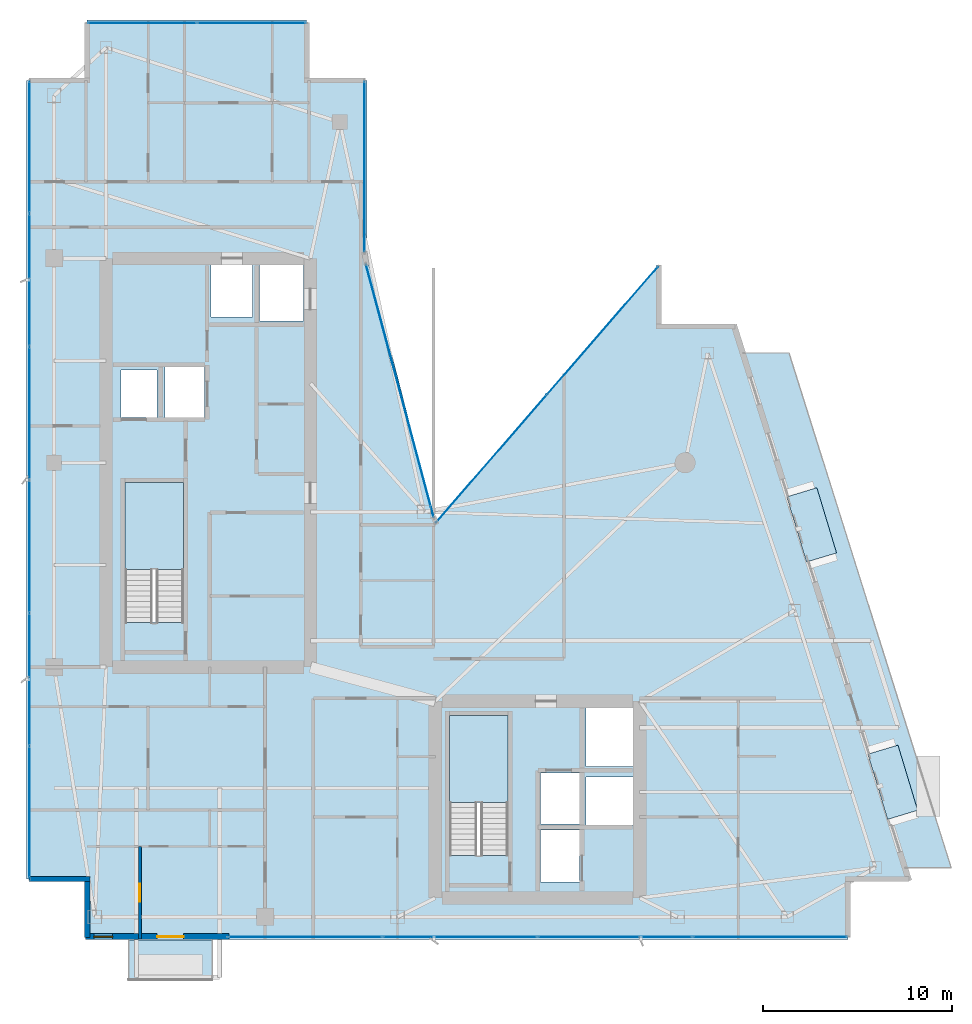
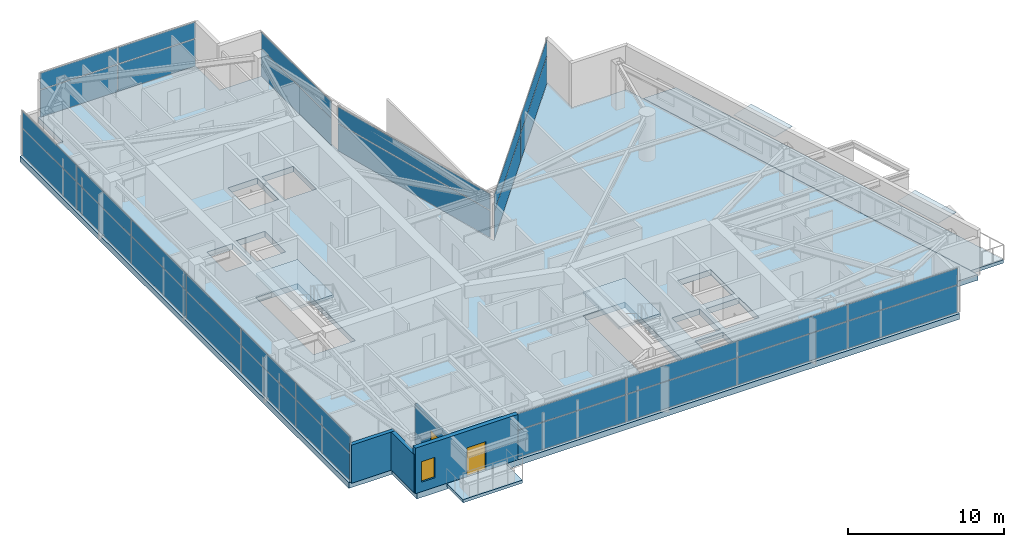
# One storey, part 22 of 28: 34 plates, 5 slabs, 4 walls, 2 doors, 1 window, 3 openings, 8 elements without a shape of their own.
"""IFC4 building model written with IfcOpenShell, lengths in metres."""

from ifc_helpers import new_model, si_unit, direction, frame, frame_2d, origin, origin_2d, place, context, subcontext, project, spatial, polyline, rectangle, outline, extrude, material, layer, layer_set, type_object, element, fill, aggregate, save


model = new_model("IFC4")

# Units and contexts
model_context = context("Model", 3, precision=1e-05, world=origin(), true_north=direction((0.0, 1.0)))
body_context = subcontext(model_context, "Body", "Model", "MODEL_VIEW")
ifc_project = project(units=[si_unit("LENGTHUNIT", "METRE"), si_unit("AREAUNIT", "SQUARE_METRE"), si_unit("VOLUMEUNIT", "CUBIC_METRE"), si_unit("PLANEANGLEUNIT", "RADIAN"), si_unit("MASSUNIT", "GRAM", prefix="KILO")], contexts=[model_context])

# Site, building, storey
site_placement = place(None, origin())
site = spatial("IfcSite", under=ifc_project, at=site_placement, CompositionType="ELEMENT")
building_placement = place(site_placement, origin())
building = spatial("IfcBuilding", under=site, at=building_placement, Name="Calvorn Quay Hotel", CompositionType="ELEMENT")
storey_placement = place(building_placement, frame((0.0, 0.0, 243.800048828125)))
storey = spatial("IfcBuildingStorey", under=building, at=storey_placement, Name="L60", CompositionType="ELEMENT", Elevation=243.800048828125)

# Curtain wall, plates
ifc_material_1 = material(Name="Champagne Bronze Anodised Aluminium and Low-E Glass", Category="aluminium")
ifc_layer_1 = layer(ifc_material_1, 0.219970703125)
ifc_layer_set_1 = layer_set([ifc_layer_1], Name="CW-SYS-Z3")
curtain_wall_type = type_object("IfcCurtainWallType", Name="CW-SYS-Z3", PredefinedType="NOTDEFINED", material=ifc_layer_set_1)
curtain_wall_1_placement = place(storey_placement, origin())
curtain_wall_1 = element("IfcCurtainWall", 1, at=curtain_wall_1_placement, inside=storey, type_object=curtain_wall_type, Name="Tower West Curtain Wall (L60)", PredefinedType="NOTDEFINED")
ifc_material_2 = material(Name="Low-E Laminated Double Glazing", Category="glass")
ifc_layer_2 = layer(ifc_material_2, 0.028076171875)
ifc_layer_set_2 = layer_set([ifc_layer_2], Name="CW-SYS-Z3-PAN")
plate_type_1 = type_object("IfcPlateType", Name="CW-SYS-Z3-PAN", PredefinedType="CURTAIN_PANEL", material=ifc_layer_set_2)
plate_1_placement = place(storey_placement, frame((0.14990234375, 9.131591796875, 0.06005859375), z_axis=(0.0, 0.0, 1.0), x_axis=(0.0, 1.0, 0.0)))
plate_1 = element("IfcPlate", 2, at=plate_1_placement, type_object=plate_type_1, Name="CW-L60-W panel 1.1", PredefinedType="CURTAIN_PANEL", context=body_context, shape_type="SweptSolid", body=[
    extrude(rectangle(XDim=6.943359375, YDim=0.028076171875, at=origin_2d()), origin(), (0.0, 0.0, 1.0), 2.110107421875),
])
plate_2_placement = place(storey_placement, frame((0.14990234375, 9.131591796875, 2.22998046875), z_axis=(0.0, 0.0, 1.0), x_axis=(0.0, 1.0, 0.0)))
plate_2 = element("IfcPlate", 3, at=plate_2_placement, type_object=plate_type_1, Name="CW-L60-W panel 1.2", PredefinedType="CURTAIN_PANEL", context=body_context, shape_type="SweptSolid", body=[
    extrude(rectangle(XDim=6.943359375, YDim=0.028076171875, at=origin_2d()), origin(), (0.0, 0.0, 1.0), 1.27001953125),
])
plate_3_placement = place(storey_placement, frame((0.14990234375, 16.14990234375, 0.06005859375), z_axis=(0.0, 0.0, 1.0), x_axis=(0.0, 1.0, 0.0)))
plate_3 = element("IfcPlate", 4, at=plate_3_placement, type_object=plate_type_1, Name="CW-L60-W panel 2.1", PredefinedType="CURTAIN_PANEL", context=body_context, shape_type="SweptSolid", body=[
    extrude(rectangle(XDim=6.973388671875, YDim=0.028076171875, at=origin_2d()), origin(), (0.0, 0.0, 1.0), 2.110107421875),
])
plate_4_placement = place(storey_placement, frame((0.14990234375, 16.14990234375, 2.22998046875), z_axis=(0.0, 0.0, 1.0), x_axis=(0.0, 1.0, 0.0)))
plate_4 = element("IfcPlate", 5, at=plate_4_placement, type_object=plate_type_1, Name="CW-L60-W panel 2.2", PredefinedType="CURTAIN_PANEL", context=body_context, shape_type="SweptSolid", body=[
    extrude(rectangle(XDim=6.973388671875, YDim=0.028076171875, at=origin_2d()), origin(), (0.0, 0.0, 1.0), 1.27001953125),
])
plate_5_placement = place(storey_placement, frame((0.14990234375, 23.183349609375, 0.06005859375), z_axis=(0.0, 0.0, 1.0), x_axis=(0.0, 1.0, 0.0)))
plate_5 = element("IfcPlate", 6, at=plate_5_placement, type_object=plate_type_1, Name="CW-L60-W panel 3.1", PredefinedType="CURTAIN_PANEL", context=body_context, shape_type="SweptSolid", body=[
    extrude(rectangle(XDim=6.973388671875, YDim=0.028076171875, at=origin_2d()), origin(), (0.0, 0.0, 1.0), 2.110107421875),
])
plate_6_placement = place(storey_placement, frame((0.14990234375, 23.183349609375, 2.22998046875), z_axis=(0.0, 0.0, 1.0), x_axis=(0.0, 1.0, 0.0)))
plate_6 = element("IfcPlate", 7, at=plate_6_placement, type_object=plate_type_1, Name="CW-L60-W panel 3.2", PredefinedType="CURTAIN_PANEL", context=body_context, shape_type="SweptSolid", body=[
    extrude(rectangle(XDim=6.973388671875, YDim=0.028076171875, at=origin_2d()), origin(), (0.0, 0.0, 1.0), 1.27001953125),
])
plate_7_placement = place(storey_placement, frame((0.14990234375, 30.216552734375, 0.06005859375), z_axis=(0.0, 0.0, 1.0), x_axis=(0.0, 1.0, 0.0)))
plate_7 = element("IfcPlate", 8, at=plate_7_placement, type_object=plate_type_1, Name="CW-L60-W panel 4.1", PredefinedType="CURTAIN_PANEL", context=body_context, shape_type="SweptSolid", body=[
    extrude(rectangle(XDim=6.973388671875, YDim=0.028076171875, at=origin_2d()), origin(), (0.0, 0.0, 1.0), 2.110107421875),
])
plate_8_placement = place(storey_placement, frame((0.14990234375, 30.216552734375, 2.22998046875), z_axis=(0.0, 0.0, 1.0), x_axis=(0.0, 1.0, 0.0)))
plate_8 = element("IfcPlate", 9, at=plate_8_placement, type_object=plate_type_1, Name="CW-L60-W panel 4.2", PredefinedType="CURTAIN_PANEL", context=body_context, shape_type="SweptSolid", body=[
    extrude(rectangle(XDim=6.973388671875, YDim=0.028076171875, at=origin_2d()), origin(), (0.0, 0.0, 1.0), 1.27001953125),
])
plate_9_placement = place(storey_placement, frame((0.14990234375, 37.25, 0.06005859375), z_axis=(0.0, 0.0, 1.0), x_axis=(0.0, 1.0, 0.0)))
plate_9 = element("IfcPlate", 10, at=plate_9_placement, type_object=plate_type_1, Name="CW-L60-W panel 5.1", PredefinedType="CURTAIN_PANEL", context=body_context, shape_type="SweptSolid", body=[
    extrude(rectangle(XDim=6.973388671875, YDim=0.028076171875, at=origin_2d()), origin(), (0.0, 0.0, 1.0), 2.110107421875),
])
plate_10_placement = place(storey_placement, frame((0.14990234375, 37.25, 2.22998046875), z_axis=(0.0, 0.0, 1.0), x_axis=(0.0, 1.0, 0.0)))
plate_10 = element("IfcPlate", 11, at=plate_10_placement, type_object=plate_type_1, Name="CW-L60-W panel 5.2", PredefinedType="CURTAIN_PANEL", context=body_context, shape_type="SweptSolid", body=[
    extrude(rectangle(XDim=6.973388671875, YDim=0.028076171875, at=origin_2d()), origin(), (0.0, 0.0, 1.0), 1.27001953125),
])
plate_11_placement = place(storey_placement, frame((0.14990234375, 44.268310546875, 0.06005859375), z_axis=(0.0, 0.0, 1.0), x_axis=(0.0, 1.0, 0.0)))
plate_11 = element("IfcPlate", 12, at=plate_11_placement, type_object=plate_type_1, Name="CW-L60-W panel 6.1", PredefinedType="CURTAIN_PANEL", context=body_context, shape_type="SweptSolid", body=[
    extrude(rectangle(XDim=6.943359375, YDim=0.028076171875, at=origin_2d()), origin(), (0.0, 0.0, 1.0), 2.110107421875),
])
plate_12_placement = place(storey_placement, frame((0.14990234375, 44.268310546875, 2.22998046875), z_axis=(0.0, 0.0, 1.0), x_axis=(0.0, 1.0, 0.0)))
plate_12 = element("IfcPlate", 13, at=plate_12_placement, type_object=plate_type_1, Name="CW-L60-W panel 6.2", PredefinedType="CURTAIN_PANEL", context=body_context, shape_type="SweptSolid", body=[
    extrude(rectangle(XDim=6.943359375, YDim=0.028076171875, at=origin_2d()), origin(), (0.0, 0.0, 1.0), 1.27001953125),
])
aggregate(curtain_wall_1, [plate_1, plate_2, plate_3, plate_4, plate_5, plate_6, plate_7, plate_8, plate_9, plate_10, plate_11, plate_12])

curtain_wall_2_placement = place(storey_placement, origin())
curtain_wall_2 = element("IfcCurtainWall", 14, at=curtain_wall_2_placement, inside=storey, type_object=curtain_wall_type, Name="Tower South Waterfront Curtain Wall (L60)", PredefinedType="NOTDEFINED")
plate_13_placement = place(storey_placement, frame((14.715087890625, 2.550048828125, 0.06005859375), z_axis=(0.0, 0.0, 1.0), x_axis=(1.0, 0.0, 0.0)))
plate_13 = element("IfcPlate", 15, at=plate_13_placement, type_object=plate_type_1, Name="CW-L60-S panel 1.1", PredefinedType="CURTAIN_PANEL", context=body_context, shape_type="SweptSolid", body=[
    extrude(rectangle(XDim=8.110107421875, YDim=0.028076171875, at=origin_2d()), origin(), (0.0, 0.0, 1.0), 2.110107421875),
])
plate_14_placement = place(storey_placement, frame((14.715087890625, 2.550048828125, 2.22998046875), z_axis=(0.0, 0.0, 1.0), x_axis=(1.0, 0.0, 0.0)))
plate_14 = element("IfcPlate", 16, at=plate_14_placement, type_object=plate_type_1, Name="CW-L60-S panel 1.2", PredefinedType="CURTAIN_PANEL", context=body_context, shape_type="SweptSolid", body=[
    extrude(rectangle(XDim=8.110107421875, YDim=0.028076171875, at=origin_2d()), origin(), (0.0, 0.0, 1.0), 1.27001953125),
])
plate_15_placement = place(storey_placement, frame((22.89990234375, 2.550048828125, 0.06005859375), z_axis=(0.0, 0.0, 1.0), x_axis=(1.0, 0.0, 0.0)))
plate_15 = element("IfcPlate", 17, at=plate_15_placement, type_object=plate_type_1, Name="CW-L60-S panel 2.1", PredefinedType="CURTAIN_PANEL", context=body_context, shape_type="SweptSolid", body=[
    extrude(rectangle(XDim=8.139892578125, YDim=0.028076171875, at=origin_2d()), origin(), (0.0, 0.0, 1.0), 2.110107421875),
])
plate_16_placement = place(storey_placement, frame((22.89990234375, 2.550048828125, 2.22998046875), z_axis=(0.0, 0.0, 1.0), x_axis=(1.0, 0.0, 0.0)))
plate_16 = element("IfcPlate", 18, at=plate_16_placement, type_object=plate_type_1, Name="CW-L60-S panel 2.2", PredefinedType="CURTAIN_PANEL", context=body_context, shape_type="SweptSolid", body=[
    extrude(rectangle(XDim=8.139892578125, YDim=0.028076171875, at=origin_2d()), origin(), (0.0, 0.0, 1.0), 1.27001953125),
])
plate_17_placement = place(storey_placement, frame((31.10009765625, 2.550048828125, 0.06005859375), z_axis=(0.0, 0.0, 1.0), x_axis=(1.0, 0.0, 0.0)))
plate_17 = element("IfcPlate", 19, at=plate_17_placement, type_object=plate_type_1, Name="CW-L60-S panel 3.1", PredefinedType="CURTAIN_PANEL", context=body_context, shape_type="SweptSolid", body=[
    extrude(rectangle(XDim=8.139892578125, YDim=0.028076171875, at=origin_2d()), origin(), (0.0, 0.0, 1.0), 2.110107421875),
])
plate_18_placement = place(storey_placement, frame((31.10009765625, 2.550048828125, 2.22998046875), z_axis=(0.0, 0.0, 1.0), x_axis=(1.0, 0.0, 0.0)))
plate_18 = element("IfcPlate", 20, at=plate_18_placement, type_object=plate_type_1, Name="CW-L60-S panel 3.2", PredefinedType="CURTAIN_PANEL", context=body_context, shape_type="SweptSolid", body=[
    extrude(rectangle(XDim=8.139892578125, YDim=0.028076171875, at=origin_2d()), origin(), (0.0, 0.0, 1.0), 1.27001953125),
])
plate_19_placement = place(storey_placement, frame((39.284912109375, 2.550048828125, 0.06005859375), z_axis=(0.0, 0.0, 1.0), x_axis=(1.0, 0.0, 0.0)))
plate_19 = element("IfcPlate", 21, at=plate_19_placement, type_object=plate_type_1, Name="CW-L60-S panel 4.1", PredefinedType="CURTAIN_PANEL", context=body_context, shape_type="SweptSolid", body=[
    extrude(rectangle(XDim=8.110107421875, YDim=0.028076171875, at=origin_2d()), origin(), (0.0, 0.0, 1.0), 2.110107421875),
])
plate_20_placement = place(storey_placement, frame((39.284912109375, 2.550048828125, 2.22998046875), z_axis=(0.0, 0.0, 1.0), x_axis=(1.0, 0.0, 0.0)))
plate_20 = element("IfcPlate", 22, at=plate_20_placement, type_object=plate_type_1, Name="CW-L60-S panel 4.2", PredefinedType="CURTAIN_PANEL", context=body_context, shape_type="SweptSolid", body=[
    extrude(rectangle(XDim=8.110107421875, YDim=0.028076171875, at=origin_2d()), origin(), (0.0, 0.0, 1.0), 1.27001953125),
])
aggregate(curtain_wall_2, [plate_13, plate_14, plate_15, plate_16, plate_17, plate_18, plate_19, plate_20])

curtain_wall_3_placement = place(storey_placement, origin())
curtain_wall_3 = element("IfcCurtainWall", 23, at=curtain_wall_3_placement, inside=storey, type_object=curtain_wall_type, Name="Inner Court Curtain Wall L60-NE1", PredefinedType="NOTDEFINED")
plate_21_placement = place(storey_placement, frame((30.440185546875, 34.588623046875, 0.06005859375), z_axis=(0.0, 0.0, 1.0), x_axis=(-0.655353317216, -0.755322467304, 0.0)))
plate_21 = element("IfcPlate", 24, at=plate_21_placement, type_object=plate_type_1, Name="CW-L60-NE1 panel 1.1", PredefinedType="CURTAIN_PANEL", context=body_context, shape_type="SweptSolid", body=[
    extrude(rectangle(XDim=8.912841796875, YDim=0.028076171875, at=origin_2d()), origin(), (0.0, 0.0, 1.0), 2.110107421875),
])
plate_22_placement = place(storey_placement, frame((30.440185546875, 34.588623046875, 2.22998046875), z_axis=(0.0, 0.0, 1.0), x_axis=(-0.655353317216, -0.755322467304, 0.0)))
plate_22 = element("IfcPlate", 25, at=plate_22_placement, type_object=plate_type_1, Name="CW-L60-NE1 panel 1.2", PredefinedType="CURTAIN_PANEL", context=body_context, shape_type="SweptSolid", body=[
    extrude(rectangle(XDim=8.912841796875, YDim=0.028076171875, at=origin_2d()), origin(), (0.0, 0.0, 1.0), 1.27001953125),
])
plate_23_placement = place(storey_placement, frame((24.559814453125, 27.811279296875, 0.06005859375), z_axis=(0.0, 0.0, 1.0), x_axis=(-0.655353317216, -0.755322467304, 0.0)))
plate_23 = element("IfcPlate", 26, at=plate_23_placement, type_object=plate_type_1, Name="CW-L60-NE1 panel 2.1", PredefinedType="CURTAIN_PANEL", context=body_context, shape_type="SweptSolid", body=[
    extrude(rectangle(XDim=8.912841796875, YDim=0.028076171875, at=origin_2d()), origin(), (0.0, 0.0, 1.0), 2.110107421875),
])
plate_24_placement = place(storey_placement, frame((24.559814453125, 27.811279296875, 2.22998046875), z_axis=(0.0, 0.0, 1.0), x_axis=(-0.655353317216, -0.755322467304, 0.0)))
plate_24 = element("IfcPlate", 27, at=plate_24_placement, type_object=plate_type_1, Name="CW-L60-NE1 panel 2.2", PredefinedType="CURTAIN_PANEL", context=body_context, shape_type="SweptSolid", body=[
    extrude(rectangle(XDim=8.912841796875, YDim=0.028076171875, at=origin_2d()), origin(), (0.0, 0.0, 1.0), 1.27001953125),
])
aggregate(curtain_wall_3, [plate_21, plate_22, plate_23, plate_24])

curtain_wall_4_placement = place(storey_placement, origin())
curtain_wall_4 = element("IfcCurtainWall", 28, at=curtain_wall_4_placement, inside=storey, type_object=curtain_wall_type, Name="Inner Court Curtain Wall L60-IC1", PredefinedType="NOTDEFINED")
plate_25_placement = place(storey_placement, frame((19.72509765625, 31.39990234375, 0.06005859375), z_axis=(0.0, 0.0, 1.0), x_axis=(-0.25877913024, 0.96593652056, 0.0)))
plate_25 = element("IfcPlate", 29, at=plate_25_placement, type_object=plate_type_1, Name="CW-L60-IC1 panel 1.1", PredefinedType="CURTAIN_PANEL", context=body_context, shape_type="SweptSolid", body=[
    extrude(rectangle(XDim=13.814697265625, YDim=0.028076171875, at=origin_2d()), origin(), (0.0, 0.0, 1.0), 2.110107421875),
])
plate_26_placement = place(storey_placement, frame((19.72509765625, 31.39990234375, 2.22998046875), z_axis=(0.0, 0.0, 1.0), x_axis=(-0.25877913024, 0.96593652056, 0.0)))
plate_26 = element("IfcPlate", 30, at=plate_26_placement, type_object=plate_type_1, Name="CW-L60-IC1 panel 1.2", PredefinedType="CURTAIN_PANEL", context=body_context, shape_type="SweptSolid", body=[
    extrude(rectangle(XDim=13.814697265625, YDim=0.028076171875, at=origin_2d()), origin(), (0.0, 0.0, 1.0), 1.27001953125),
])
aggregate(curtain_wall_4, [plate_25, plate_26])

curtain_wall_5_placement = place(storey_placement, origin())
curtain_wall_5 = element("IfcCurtainWall", 31, at=curtain_wall_5_placement, inside=storey, type_object=curtain_wall_type, Name="Inner Court Curtain Wall L60-IC2", PredefinedType="NOTDEFINED")
plate_27_placement = place(storey_placement, frame((17.85009765625, 43.239990234375, 0.06005859375), z_axis=(0.0, 0.0, 1.0), x_axis=(0.0, 1.0, 0.0)))
plate_27 = element("IfcPlate", 32, at=plate_27_placement, type_object=plate_type_1, Name="CW-L60-IC2 panel 1.1", PredefinedType="CURTAIN_PANEL", context=body_context, shape_type="SweptSolid", body=[
    extrude(rectangle(XDim=9.0, YDim=0.028076171875, at=origin_2d()), origin(), (0.0, 0.0, 1.0), 2.110107421875),
])
plate_28_placement = place(storey_placement, frame((17.85009765625, 43.239990234375, 2.22998046875), z_axis=(0.0, 0.0, 1.0), x_axis=(0.0, 1.0, 0.0)))
plate_28 = element("IfcPlate", 33, at=plate_28_placement, type_object=plate_type_1, Name="CW-L60-IC2 panel 1.2", PredefinedType="CURTAIN_PANEL", context=body_context, shape_type="SweptSolid", body=[
    extrude(rectangle(XDim=9.0, YDim=0.028076171875, at=origin_2d()), origin(), (0.0, 0.0, 1.0), 1.27001953125),
])
aggregate(curtain_wall_5, [plate_27, plate_28])

curtain_wall_6_placement = place(storey_placement, origin())
curtain_wall_6 = element("IfcCurtainWall", 34, at=curtain_wall_6_placement, inside=storey, type_object=curtain_wall_type, Name="Inner Court Curtain Wall L60-N1", PredefinedType="NOTDEFINED")
plate_29_placement = place(storey_placement, frame((11.885009765625, 50.85009765625, 0.06005859375), z_axis=(0.0, 0.0, 1.0), x_axis=(-1.0, 0.0, 0.0)))
plate_29 = element("IfcPlate", 35, at=plate_29_placement, type_object=plate_type_1, Name="CW-L60-N1 panel 1.1", PredefinedType="CURTAIN_PANEL", context=body_context, shape_type="SweptSolid", body=[
    extrude(rectangle(XDim=5.7099609375, YDim=0.028076171875, at=origin_2d()), origin(), (0.0, 0.0, 1.0), 2.110107421875),
])
plate_30_placement = place(storey_placement, frame((11.885009765625, 50.85009765625, 2.22998046875), z_axis=(0.0, 0.0, 1.0), x_axis=(-1.0, 0.0, 0.0)))
plate_30 = element("IfcPlate", 36, at=plate_30_placement, type_object=plate_type_1, Name="CW-L60-N1 panel 1.2", PredefinedType="CURTAIN_PANEL", context=body_context, shape_type="SweptSolid", body=[
    extrude(rectangle(XDim=5.7099609375, YDim=0.028076171875, at=origin_2d()), origin(), (0.0, 0.0, 1.0), 1.27001953125),
])
plate_31_placement = place(storey_placement, frame((6.114990234375, 50.85009765625, 0.06005859375), z_axis=(0.0, 0.0, 1.0), x_axis=(-1.0, 0.0, 0.0)))
plate_31 = element("IfcPlate", 37, at=plate_31_placement, type_object=plate_type_1, Name="CW-L60-N1 panel 2.1", PredefinedType="CURTAIN_PANEL", context=body_context, shape_type="SweptSolid", body=[
    extrude(rectangle(XDim=5.7099609375, YDim=0.028076171875, at=origin_2d()), origin(), (0.0, 0.0, 1.0), 2.110107421875),
])
plate_32_placement = place(storey_placement, frame((6.114990234375, 50.85009765625, 2.22998046875), z_axis=(0.0, 0.0, 1.0), x_axis=(-1.0, 0.0, 0.0)))
plate_32 = element("IfcPlate", 38, at=plate_32_placement, type_object=plate_type_1, Name="CW-L60-N1 panel 2.2", PredefinedType="CURTAIN_PANEL", context=body_context, shape_type="SweptSolid", body=[
    extrude(rectangle(XDim=5.7099609375, YDim=0.028076171875, at=origin_2d()), origin(), (0.0, 0.0, 1.0), 1.27001953125),
])
aggregate(curtain_wall_6, [plate_29, plate_30, plate_31, plate_32])

# Plates
ifc_material_3 = material(Name="Tempered Laminated Low-E Glass", Category="glass")
ifc_layer_3 = layer(ifc_material_3, 0.0380859375)
ifc_layer_set_3 = layer_set([ifc_layer_3], Name="PLT-HOOD-GLAZ")
plate_type_2 = type_object("IfcPlateType", Name="PLT-HOOD-GLAZ", PredefinedType="SHEET", material=ifc_layer_set_3)
for number, where, z_axis, x_axis, name in (
    (39, (45.77490234375, 10.718017578125, 2.466796875), (0.0, 0.0, 1.0), (0.957319497532, 0.289031796944, 0.0), "Angled Glass Bay Hood Panel L60-HOOD-1"),
    (40, (41.489013671875, 24.318115234375, 2.466796875), (0.0, 0.0, 1.0), (0.957319497532, 0.289031796944, 0.0), "Angled Glass Bay Hood Panel L60-HOOD-3"),
):
    element("IfcPlate", number, at=place(storey_placement, frame(where, z_axis=z_axis, x_axis=x_axis)), inside=storey, type_object=plate_type_2, Name=name, PredefinedType="SHEET", context=body_context, shape_type="SweptSolid", body=[
        extrude(rectangle(XDim=1.659912109375, YDim=3.60009765625, at=origin_2d()), origin(), (0.0, 0.0, 1.0), 0.0380859375),
    ])

# Slab
ifc_material_4 = material(Name="Concrete C40", Category="concrete")
ifc_layer_4 = layer(ifc_material_4, 0.239990234375)
ifc_layer_set_4 = layer_set([ifc_layer_4], Name="SLB-BALCONY-220")
slab_type_1 = type_object("IfcSlabType", Name="SLB-BALCONY-220", PredefinedType="FLOOR", material=ifc_layer_set_4)
slab_1_placement = place(storey_placement, frame((0.0, 0.0, -0.239990234375)))
element("IfcSlab", 41, at=slab_1_placement, inside=storey, type_object=slab_type_1, Name="Tree Balcony Slab L60-BALC-S", PredefinedType="FLOOR", context=body_context, shape_type="SweptSolid", body=[
    extrude(outline(polyline([(5.39990234375, 0.2900390625), (9.800048828125, 0.2900390625), (9.800048828125, 2.389892578125), (5.39990234375, 2.389892578125), (5.39990234375, 0.2900390625)])), origin(), (0.0, 0.0, 1.0), 0.239990234375),
])

# Stair, slab
ifc_material_5 = material(Name="Concrete C40", Category="concrete")
stair_type = type_object("IfcStairType", Name="STR-CORE-DOGLEG", PredefinedType="HALF_TURN_STAIR", material=ifc_material_5)
stair_1_placement = place(storey_placement, origin())
stair_1 = element("IfcStair", 42, at=stair_1_placement, inside=storey, type_object=stair_type, Name="L60 ST-W", PredefinedType="HALF_TURN_STAIR")
ifc_material_6 = material(Name="Concrete C40", Category="concrete")
ifc_layer_5 = layer(ifc_material_6, 0.199951171875)
ifc_layer_set_5 = layer_set([ifc_layer_5], Name="SLB-STAIR-LANDING-200")
slab_type_2 = type_object("IfcSlabType", Name="SLB-STAIR-LANDING-200", PredefinedType="LANDING", material=ifc_layer_set_5)
slab_2_placement = place(storey_placement, frame((0.0, 0.0, 1.699951171875)))
slab_2 = element("IfcSlab", 43, at=slab_2_placement, type_object=slab_type_2, Name="ST-W landing 1", PredefinedType="LANDING", context=body_context, shape_type="SweptSolid", body=[
    extrude(outline(polyline([(8.300048828125, 21.949951171875), (8.300048828125, 26.550048828125), (5.199951171875, 26.550048828125), (5.199951171875, 21.949951171875), (8.300048828125, 21.949951171875)])), origin(), (0.0, 0.0, 1.0), 0.199951171875),
])
aggregate(stair_1, [slab_2])

stair_2_placement = place(storey_placement, origin())
stair_2 = element("IfcStair", 44, at=stair_2_placement, inside=storey, type_object=stair_type, Name="L60 ST-E", PredefinedType="HALF_TURN_STAIR")
slab_3_placement = place(storey_placement, frame((0.0, 0.0, 1.699951171875)))
slab_3 = element("IfcSlab", 45, at=slab_3_placement, type_object=slab_type_2, Name="ST-E landing 1", PredefinedType="LANDING", context=body_context, shape_type="SweptSolid", body=[
    extrude(outline(polyline([(25.449951171875, 9.64990234375), (25.449951171875, 14.25), (22.35009765625, 14.25), (22.35009765625, 9.64990234375), (25.449951171875, 9.64990234375)])), origin(), (0.0, 0.0, 1.0), 0.199951171875),
])
aggregate(stair_2, [slab_3])

# Slabs
ifc_material_7 = material(Name="Concrete C40", Category="concrete")
ifc_layer_6 = layer(ifc_material_7, 0.260009765625)
ifc_layer_set_6 = layer_set([ifc_layer_6], Name="SLB-TERRACE-260")
slab_type_3 = type_object("IfcSlabType", Name="SLB-TERRACE-260", PredefinedType="ROOF", material=ifc_layer_set_6)
slab_4_placement = place(storey_placement, frame((0.0, 0.0, -0.260009765625)))
element("IfcSlab", 46, at=slab_4_placement, inside=storey, type_object=slab_type_3, Name="Sawtooth Setback Terrace Slab L60", PredefinedType="ROOF", context=body_context, shape_type="SweptSolid", body=[
    extrude(outline(polyline([(46.430908203125, 6.199951171875), (48.861083984375, 6.199951171875), (40.291015625, 33.39990234375), (37.861083984375, 33.39990234375), (46.430908203125, 6.199951171875)])), origin(), (0.0, 0.0, 1.0), 0.260009765625),
])
ifc_material_8 = material(Name="Concrete C50", Category="concrete")
ifc_layer_7 = layer(ifc_material_8, 0.449951171875)
ifc_layer_set_7 = layer_set([ifc_layer_7], Name="SLB-XFER-450")
slab_type_4 = type_object("IfcSlabType", Name="SLB-XFER-450", PredefinedType="FLOOR", material=ifc_layer_set_7)
slab_5_placement = place(storey_placement, frame((0.0, 0.0, -0.449951171875)))
element("IfcSlab", 47, at=slab_5_placement, inside=storey, type_object=slab_type_4, Name="L60 Structural Floor Slab", PredefinedType="FLOOR", context=body_context, shape_type="SweptSolid", body=[
    extrude(outline(polyline([(0.0, 5.60009765625), (3.199951171875, 5.60009765625), (3.199951171875, 2.39990234375), (43.39990234375, 2.39990234375), (43.39990234375, 5.60009765625), (46.60009765625, 5.60009765625), (37.39990234375, 34.800048828125), (33.39990234375, 34.800048828125), (33.39990234375, 38.0), (21.60009765625, 24.39990234375), (18.0, 38.39990234375), (18.0, 47.800048828125), (14.800048828125, 47.800048828125), (14.800048828125, 51.0), (3.199951171875, 51.0), (3.199951171875, 47.800048828125), (0.0, 47.800048828125), (0.0, 5.60009765625)]), holes=[polyline([(5.199951171875, 19.156005859375), (8.300048828125, 19.156005859375), (8.300048828125, 26.550048828125), (5.199951171875, 26.550048828125), (5.199951171875, 19.156005859375)]), polyline([(22.35009765625, 6.85595703125), (25.449951171875, 6.85595703125), (25.449951171875, 14.25), (22.35009765625, 14.25), (22.35009765625, 6.85595703125)]), polyline([(5.0, 30.0), (6.89990234375, 30.0), (6.89990234375, 32.5), (5.0, 32.5), (5.0, 30.0)]), polyline([(7.300048828125, 30.0), (9.39990234375, 30.0), (9.39990234375, 32.64990234375), (7.300048828125, 32.64990234375), (7.300048828125, 30.0)]), polyline([(27.159912109375, 8.5), (29.2099609375, 8.5), (29.2099609375, 11.199951171875), (27.159912109375, 11.199951171875), (27.159912109375, 8.5)]), polyline([(27.159912109375, 5.449951171875), (29.2099609375, 5.449951171875), (29.2099609375, 8.199951171875), (27.159912109375, 8.199951171875), (27.159912109375, 5.449951171875)]), polyline([(12.300048828125, 35.10009765625), (14.639892578125, 35.10009765625), (14.639892578125, 38.0400390625), (12.300048828125, 38.0400390625), (12.300048828125, 35.10009765625)]), polyline([(9.75, 35.300048828125), (11.949951171875, 35.300048828125), (11.949951171875, 38.0400390625), (9.75, 38.0400390625), (9.75, 35.300048828125)]), polyline([(29.550048828125, 11.550048828125), (32.0400390625, 11.550048828125), (32.0400390625, 14.639892578125), (29.550048828125, 14.639892578125), (29.550048828125, 11.550048828125)]), polyline([(29.550048828125, 8.449951171875), (32.0400390625, 8.449951171875), (32.0400390625, 11.0), (29.550048828125, 11.0), (29.550048828125, 8.449951171875)])]), origin(), (0.0, 0.0, 1.0), 0.449951171875),
])

# Wall, openings, door, window
ifc_material_9 = material(Name="Concrete C40", Category="concrete")
ifc_layer_8 = layer(ifc_material_9, 0.320068359375)
ifc_layer_set_8 = layer_set([ifc_layer_8], Name="WL-EXT-SPANDREL-320")
wall_type_1 = type_object("IfcWallType", Name="WL-EXT-SPANDREL-320", PredefinedType="SOLIDWALL", material=ifc_layer_set_8)
wall_1_placement = place(storey_placement, frame((3.10009765625, 2.56005859375, 0.0), z_axis=(0.0, 0.0, 1.0), x_axis=(1.0, 0.0, 0.0)))
wall_1 = element("IfcWall", 48, at=wall_1_placement, inside=storey, type_object=wall_type_1, Name="South Balcony Exterior Wall (L60)", PredefinedType="SOLIDWALL", context=body_context, shape_type="SweptSolid", body=[
    extrude(rectangle(XDim=7.599853515625, YDim=0.320068359375, at=frame_2d((3.7998046875, 0.0))), origin(), (0.0, 0.0, 1.0), 3.56005859375),
])
opening_1_placement = place(wall_1_placement, frame((0.449951171875, 0.0, 0.75)))
opening_1 = element("IfcOpeningElement", 49, at=opening_1_placement, cuts=wall_1, Name="Opening WSB-L60-1", PredefinedType="OPENING", context=body_context, shape_type="SweptSolid", body=[
    extrude(rectangle(XDim=1.0, YDim=1.60009765625, at=frame_2d((0.5, 0.800048828125))), frame((0.0, 0.169921875, 0.0), z_axis=(0.0, -1.0, 0.0), x_axis=(1.0, 0.0, 0.0)), (0.0, 0.0, 1.0), 0.340087890625),
])
opening_2_placement = place(wall_1_placement, frame((3.800048828125, 0.0, 0.0)))
opening_2 = element("IfcOpeningElement", 50, at=opening_2_placement, cuts=wall_1, Name="Opening DB-L60-1", PredefinedType="OPENING", context=body_context, shape_type="SweptSolid", body=[
    extrude(rectangle(XDim=1.39990234375, YDim=2.25, at=frame_2d((0.699951171875, 1.125))), frame((0.0, 0.169921875, 0.0), z_axis=(0.0, -1.0, 0.0), x_axis=(1.0, 0.0, 0.0)), (0.0, 0.0, 1.0), 0.340087890625),
])
ifc_material_10 = material(Name="Typhoon-Rated Low-E Aluminium Terrace Door", Category="aluminium")
door_type_1 = type_object("IfcDoorType", Name="DR-BALCONY-GLZ-1400", OperationType="NOTDEFINED", PredefinedType="DOOR", material=ifc_material_10)
door_1_placement = place(opening_2_placement, origin())
door_1 = element("IfcDoor", 51, at=door_1_placement, inside=storey, type_object=door_type_1, Name="Tree Balcony Terrace Door L60-BALC-S", OperationType="SINGLE_SWING_LEFT", OverallHeight=2.25, OverallWidth=1.39990234375, PredefinedType="DOOR", context=body_context, shape_type="SweptSolid", body=[
    extrude(rectangle(XDim=1.39990234375, YDim=2.25, at=frame_2d((0.699951171875, 1.125))), frame((0.0, 0.02490234375, 0.0), z_axis=(0.0, -1.0, 0.0), x_axis=(1.0, 0.0, 0.0)), (0.0, 0.0, 1.0), 0.050048828125),
])
fill(opening_2, door_1)
ifc_material_11 = material(Name="Self-Closing Class B Side Fire Window")
window_type = type_object("IfcWindowType", Name="WIN-REFUGE-NARROW-1000x1600", PartitioningType="SINGLE_PANEL", PredefinedType="WINDOW", material=ifc_material_11)
window_placement = place(opening_1_placement, origin())
window = element("IfcWindow", 52, at=window_placement, inside=storey, type_object=window_type, Name="South Waterfront Side Window (L60)", OverallHeight=1.60009765625, OverallWidth=1.0, PartitioningType="SINGLE_PANEL", PredefinedType="WINDOW", context=body_context, shape_type="SweptSolid", body=[
    extrude(rectangle(XDim=1.0, YDim=1.60009765625, at=frame_2d((0.5, 0.800048828125))), frame((0.0, 0.030029296875, 0.0), z_axis=(0.0, -1.0, 0.0), x_axis=(1.0, 0.0, 0.0)), (0.0, 0.0, 1.0), 0.06005859375),
])
fill(opening_1, window)

# Walls
wall_2_placement = place(storey_placement, frame((0.1201171875, 5.60009765625, 0.0), z_axis=(0.0, 0.0, 1.0), x_axis=(1.0, 0.0, 0.0)))
element("IfcWall", 53, at=wall_2_placement, inside=storey, type_object=wall_type_1, Name="Notched Corner Spandrel L60-SW1", PredefinedType="SOLIDWALL", context=body_context, shape_type="SweptSolid", body=[
    extrude(rectangle(XDim=3.219970703125, YDim=0.280029296875, at=frame_2d((1.60986328125, 0.0))), origin(), (0.0, 0.0, 1.0), 2.989990234375),
])
wall_3_placement = place(storey_placement, frame((3.199951171875, 5.4599609375, 0.0), z_axis=(0.0, 0.0, 1.0), x_axis=(0.0, -1.0, 0.0)))
element("IfcWall", 54, at=wall_3_placement, inside=storey, type_object=wall_type_1, Name="Notched Corner Spandrel L60-SW2", PredefinedType="SOLIDWALL", context=body_context, shape_type="SweptSolid", body=[
    extrude(rectangle(XDim=2.93994140625, YDim=0.280029296875, at=frame_2d((1.469970703125, 0.0))), origin(), (0.0, 0.0, 1.0), 2.989990234375),
])

# Wall, opening, door
ifc_material_12 = material(Name="Double-Stud Acoustic Gypsum Partition")
ifc_layer_9 = layer(ifc_material_12, 0.159912109375)
ifc_layer_set_9 = layer_set([ifc_layer_9], Name="WL-INTERSUITE-160")
wall_type_2 = type_object("IfcWallType", Name="WL-INTERSUITE-160", PredefinedType="PARTITIONING", material=ifc_layer_set_9)
wall_4_placement = place(storey_placement, frame((5.97998046875, 2.43994140625, 0.0), z_axis=(0.0, 0.0, 1.0), x_axis=(0.0, 1.0, 0.0)))
wall_4 = element("IfcWall", 55, at=wall_4_placement, inside=storey, type_object=wall_type_2, Name="Partition Wall L60-WL-U01-MSP", PredefinedType="PARTITIONING", context=body_context, shape_type="SweptSolid", body=[
    extrude(rectangle(XDim=4.880126953125, YDim=0.159912109375, at=frame_2d((2.43994140625, 0.0))), origin(), (0.0, 0.0, 1.0), 3.08984375),
])
opening_3_placement = place(wall_4_placement, frame((1.9599609375, 0.0, 0.0)))
opening_3 = element("IfcOpeningElement", 56, at=opening_3_placement, cuts=wall_4, Name="Opening D-L60-M01", PredefinedType="OPENING", context=body_context, shape_type="SweptSolid", body=[
    extrude(rectangle(XDim=0.9599609375, YDim=2.199951171875, at=frame_2d((0.47998046875, 1.10009765625))), frame((0.0, 0.08984375, 0.0), z_axis=(0.0, -1.0, 0.0), x_axis=(1.0, 0.0, 0.0)), (0.0, 0.0, 1.0), 0.179931640625),
])
ifc_material_13 = material(Name="Solid Timber Internal Suite Door", Category="wood")
door_type_2 = type_object("IfcDoorType", Name="DR-SUITE-INT-960", OperationType="NOTDEFINED", PredefinedType="DOOR", material=ifc_material_13)
door_2_placement = place(opening_3_placement, origin())
door_2 = element("IfcDoor", 57, at=door_2_placement, inside=storey, type_object=door_type_2, Name="Suite Bedroom Door 01", OperationType="SINGLE_SWING_LEFT", OverallHeight=2.199951171875, OverallWidth=0.9599609375, PredefinedType="DOOR", context=body_context, shape_type="SweptSolid", body=[
    extrude(rectangle(XDim=0.9599609375, YDim=2.199951171875, at=frame_2d((0.47998046875, 1.10009765625))), frame((0.0, 0.02490234375, 0.0), z_axis=(0.0, -1.0, 0.0), x_axis=(1.0, 0.0, 0.0)), (0.0, 0.0, 1.0), 0.050048828125),
])
fill(opening_3, door_2)

save(model, "model.ifc")
